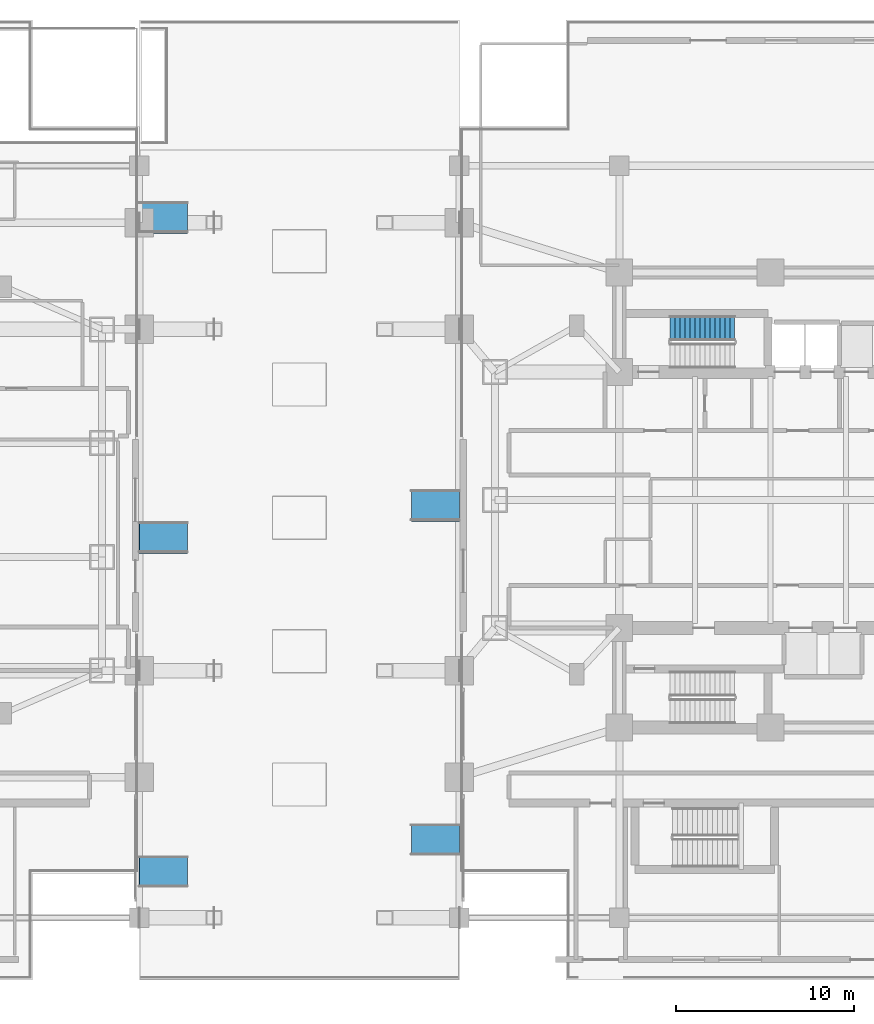
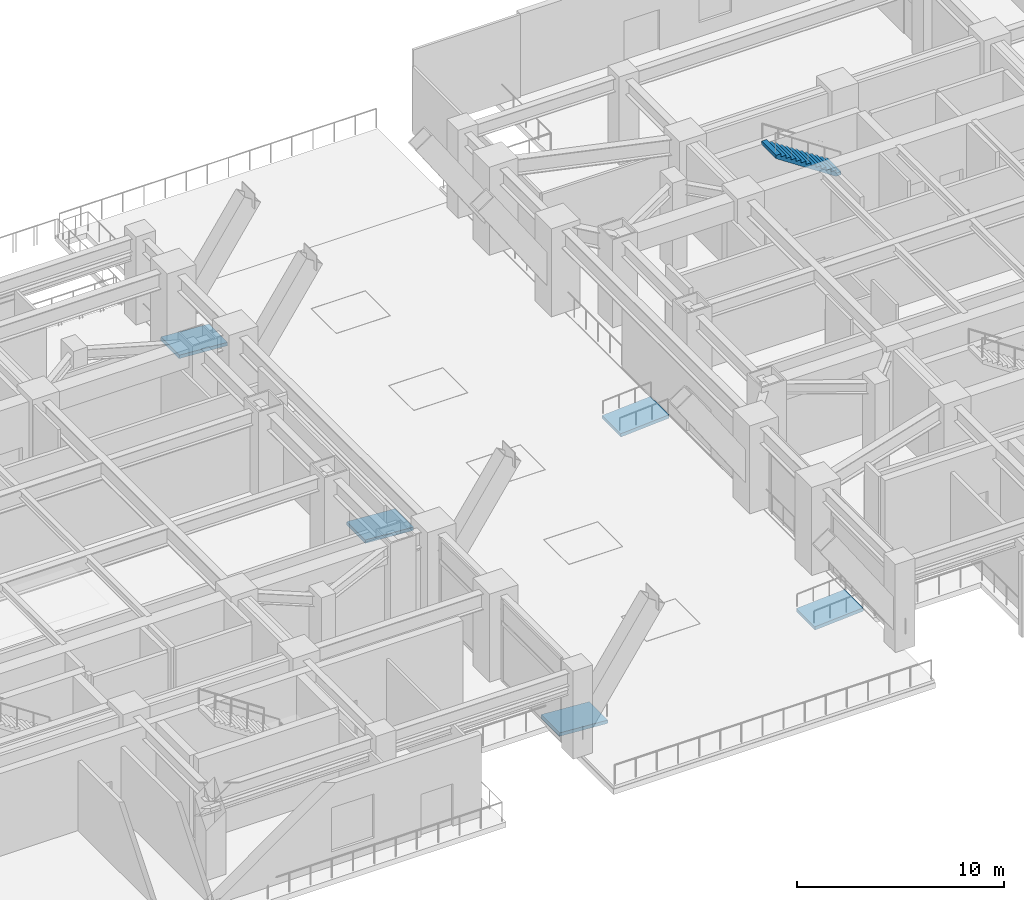
# One storey, part 16 of 27: 5 ramp flights, 1 stair flight, 6 elements without a shape of their own.
"""IFC4 building model written with IfcOpenShell, lengths in metres."""

from ifc_helpers import new_model, si_unit, direction, frame, origin, place, context, subcontext, project, spatial, polyline, outline, extrude, material, layer, layer_set, type_object, element, aggregate, save


model = new_model("IFC4")

# Units and contexts
model_context = context("Model", 3, precision=1e-05, world=origin(), true_north=direction((0.0, 1.0)))
body_context = subcontext(model_context, "Body", "Model", "MODEL_VIEW")
ifc_project = project(units=[si_unit("LENGTHUNIT", "METRE"), si_unit("AREAUNIT", "SQUARE_METRE"), si_unit("VOLUMEUNIT", "CUBIC_METRE"), si_unit("PLANEANGLEUNIT", "RADIAN"), si_unit("MASSUNIT", "GRAM", prefix="KILO")], contexts=[model_context])

# Site, building, storey
site_placement = place(None, origin())
site = spatial("IfcSite", under=ifc_project, at=site_placement, CompositionType="ELEMENT")
building_placement = place(site_placement, origin())
building = spatial("IfcBuilding", under=site, at=building_placement, Name="Mirazonda Arch Towers", CompositionType="ELEMENT")
storey_placement = place(building_placement, origin())
storey = spatial("IfcBuildingStorey", under=building, at=storey_placement, Name="L00", CompositionType="ELEMENT", Elevation=0.0)

# Stair, stair flight
ifc_material = material(Name="Concrete C40/50", Category="concrete")
stair_type = type_object("IfcStairType", Name="STAIR-CORE-1400", PredefinedType="HALF_TURN_STAIR", material=ifc_material)
stair_placement = place(storey_placement, origin())
stair = element("IfcStair", 1, at=stair_placement, inside=storey, type_object=stair_type, Name="L00 Protected Exit Stair ST-T2N", PredefinedType="HALF_TURN_STAIR")
stair_flight_type = type_object("IfcStairFlightType", Name="FLIGHT-1400", PredefinedType="STRAIGHT", material=ifc_material)
stair_flight_placement = place(storey_placement, frame((74.489990234375, 37.659912109375, 2.60009765625), z_axis=(0.0, 0.0, 1.0), x_axis=(-1.0, 0.0, 0.0)))
stair_flight = element("IfcStairFlight", 2, at=stair_flight_placement, type_object=stair_flight_type, Name="ST-T2N flight 2", NumberOfRisers=14, NumberOfTreads=13, PredefinedType="STRAIGHT", RiserHeight=0.185714286, TreadLength=0.28, context=body_context, shape_type="SweptSolid", body=[
    extrude(outline(polyline([(0.0, 0.0), (0.0, 0.185791015625), (0.280029296875, 0.185791015625), (0.280029296875, 0.371337890625), (0.56005859375, 0.371337890625), (0.56005859375, 0.55712890625), (0.840087890625, 0.55712890625), (0.840087890625, 0.742919921875), (1.1201171875, 0.742919921875), (1.1201171875, 0.928466796875), (1.39990234375, 0.928466796875), (1.39990234375, 1.1142578125), (1.679931640625, 1.1142578125), (1.679931640625, 1.300048828125), (1.9599609375, 1.300048828125), (1.9599609375, 1.485595703125), (2.239990234375, 1.485595703125), (2.239990234375, 1.67138671875), (2.52001953125, 1.67138671875), (2.52001953125, 1.857177734375), (2.800048828125, 1.857177734375), (2.800048828125, 2.04296875), (3.080078125, 2.04296875), (3.080078125, 2.228515625), (3.360107421875, 2.228515625), (3.360107421875, 2.414306640625), (3.639892578125, 2.414306640625), (3.639892578125, 2.60009765625), (3.639892578125, 2.222412109375), (0.289306640625, 0.0), (0.0, 0.0)])), frame((0.0, 0.699951171875, 0.0), z_axis=(0.0, -1.0, 0.0), x_axis=(1.0, 0.0, 0.0)), (0.0, 0.0, 1.0), 1.39990234375),
])
aggregate(stair, [stair_flight])

# Ramp, ramp flight
ramp_type = type_object("IfcRampType", Name="RAMP-PED", PredefinedType="STRAIGHT_RUN_RAMP", material=ifc_material)
ramp_1_placement = place(storey_placement, origin())
ramp_1 = element("IfcRamp", 3, at=ramp_1_placement, inside=storey, type_object=ramp_type, Name="L00 Accessible Concourse Ramp PED-W1 (1:15)", PredefinedType="STRAIGHT_RUN_RAMP")
ifc_layer = layer(ifc_material, 0.199951171875, Name="RAMPFLIGHT-PED")
ifc_layer_set = layer_set([ifc_layer], Name="Concrete C40/50")
ramp_flight_type = type_object("IfcRampFlightType", Name="RAMPFLIGHT-PED", PredefinedType="STRAIGHT", material=ifc_layer_set)
ramp_flight_1_placement = place(storey_placement, frame((43.699951171875, 8.0, -0.179931640625), z_axis=(0.066495057241, 0.0, 0.997786754453), x_axis=(-0.997786754453, 0.0, 0.066495057241)))
ramp_flight_1 = element("IfcRampFlight", 4, at=ramp_flight_1_placement, type_object=ramp_flight_type, Name="L00 Accessible Pedestrian Ramp Flight 1", PredefinedType="STRAIGHT", context=body_context, shape_type="SweptSolid", body=[
    extrude(outline(polyline([(0.0, 0.0), (2.705940081710456, 0.0), (2.705940081710456, 1.8000488281250004), (0.0, 1.8000488281250004), (0.0, 0.0)])), origin(), (0.0, 0.0, -1.0), 0.199951171875),
])
aggregate(ramp_1, [ramp_flight_1])

ramp_2_placement = place(storey_placement, origin())
ramp_2 = element("IfcRamp", 5, at=ramp_2_placement, inside=storey, type_object=ramp_type, Name="L00 Accessible Concourse Ramp PED-W2 (1:15)", PredefinedType="STRAIGHT_RUN_RAMP")
ramp_flight_2_placement = place(storey_placement, frame((43.699951171875, 26.800048828125, -0.179931640625), z_axis=(0.066495057241, 0.0, 0.997786754453), x_axis=(-0.997786754453, 0.0, 0.066495057241)))
ramp_flight_2 = element("IfcRampFlight", 6, at=ramp_flight_2_placement, type_object=ramp_flight_type, Name="L00 Accessible Pedestrian Ramp Flight 2", PredefinedType="STRAIGHT", context=body_context, shape_type="SweptSolid", body=[
    extrude(outline(polyline([(0.0, 0.0), (2.705940081710456, 0.0), (2.705940081710456, 1.8000488281250004), (0.0, 1.8000488281250004), (0.0, 0.0)])), origin(), (0.0, 0.0, -1.0), 0.199951171875),
])
aggregate(ramp_2, [ramp_flight_2])

ramp_3_placement = place(storey_placement, origin())
ramp_3 = element("IfcRamp", 7, at=ramp_3_placement, inside=storey, type_object=ramp_type, Name="L00 Accessible Concourse Ramp PED-W3 (1:15)", PredefinedType="STRAIGHT_RUN_RAMP")
ramp_flight_3_placement = place(storey_placement, frame((43.699951171875, 44.800048828125, -0.179931640625), z_axis=(0.066495057241, 0.0, 0.997786754453), x_axis=(-0.997786754453, 0.0, 0.066495057241)))
ramp_flight_3 = element("IfcRampFlight", 8, at=ramp_flight_3_placement, type_object=ramp_flight_type, Name="L00 Accessible Pedestrian Ramp Flight 3", PredefinedType="STRAIGHT", context=body_context, shape_type="SweptSolid", body=[
    extrude(outline(polyline([(0.0, 0.0), (2.705940081710456, 0.0), (2.705940081710456, 1.8000488281250004), (0.0, 1.8000488281250004), (0.0, 0.0)])), origin(), (0.0, 0.0, -1.0), 0.199951171875),
])
aggregate(ramp_3, [ramp_flight_3])

ramp_4_placement = place(storey_placement, origin())
ramp_4 = element("IfcRamp", 9, at=ramp_4_placement, inside=storey, type_object=ramp_type, Name="L00 Accessible Concourse Ramp PED-E1 (1:15)", PredefinedType="STRAIGHT_RUN_RAMP")
ramp_flight_4_placement = place(storey_placement, frame((56.300048828125, 8.0, -0.179931640625), z_axis=(-0.066495057241, 0.0, 0.997786754453), x_axis=(0.997786754453, 0.0, 0.066495057241)))
ramp_flight_4 = element("IfcRampFlight", 10, at=ramp_flight_4_placement, type_object=ramp_flight_type, Name="L00 Accessible Pedestrian Ramp Flight 4", PredefinedType="STRAIGHT", context=body_context, shape_type="SweptSolid", body=[
    extrude(outline(polyline([(0.0, 0.0), (2.705940081710456, 0.0), (2.705940081710456, 1.8000488281250004), (0.0, 1.8000488281250004), (0.0, 0.0)])), origin(), (0.0, 0.0, -1.0), 0.199951171875),
])
aggregate(ramp_4, [ramp_flight_4])

ramp_5_placement = place(storey_placement, origin())
ramp_5 = element("IfcRamp", 11, at=ramp_5_placement, inside=storey, type_object=ramp_type, Name="L00 Accessible Concourse Ramp PED-E2 (1:15)", PredefinedType="STRAIGHT_RUN_RAMP")
ramp_flight_5_placement = place(storey_placement, frame((56.300048828125, 26.800048828125, -0.179931640625), z_axis=(-0.066495057241, 0.0, 0.997786754453), x_axis=(0.997786754453, 0.0, 0.066495057241)))
ramp_flight_5 = element("IfcRampFlight", 12, at=ramp_flight_5_placement, type_object=ramp_flight_type, Name="L00 Accessible Pedestrian Ramp Flight 5", PredefinedType="STRAIGHT", context=body_context, shape_type="SweptSolid", body=[
    extrude(outline(polyline([(0.0, 0.0), (2.705940081710456, 0.0), (2.705940081710456, 1.8000488281250004), (0.0, 1.8000488281250004), (0.0, 0.0)])), origin(), (0.0, 0.0, -1.0), 0.199951171875),
])
aggregate(ramp_5, [ramp_flight_5])

save(model, "model.ifc")
